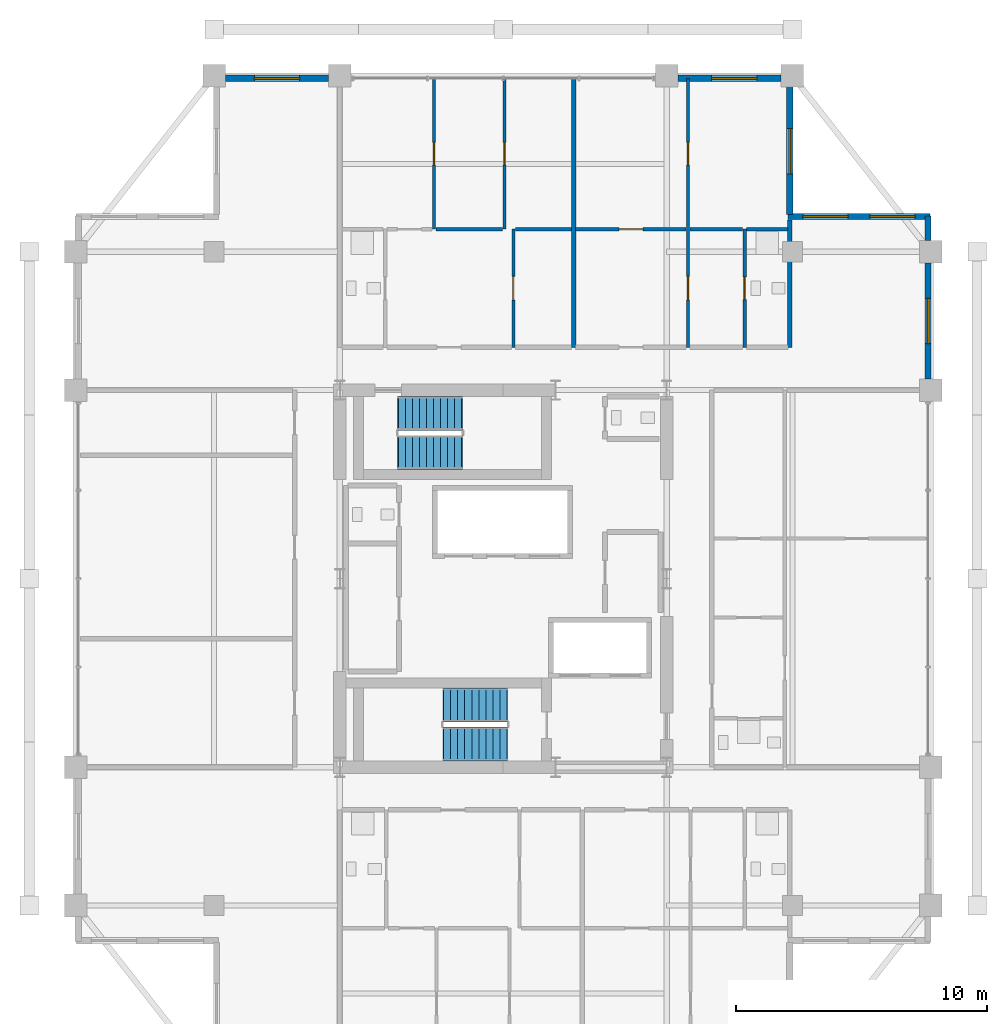
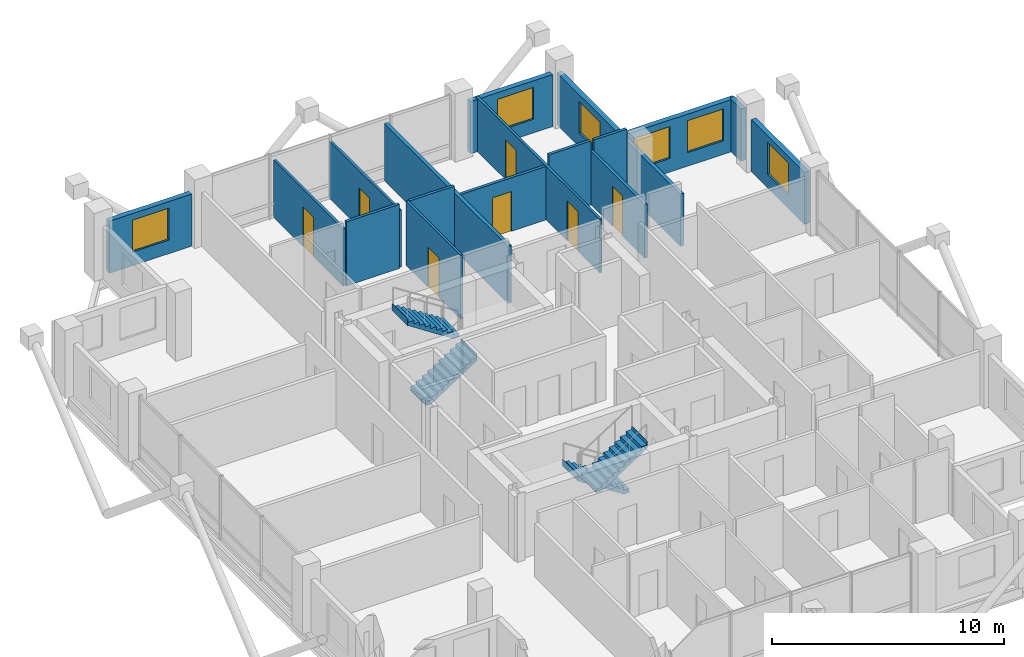
# One storey, part 21 of 23: 18 walls, 7 doors, 6 windows, 4 stair flights, 13 openings, 2 elements without a shape of their own.
"""IFC4 building model written with IfcOpenShell, lengths in metres."""

from ifc_helpers import new_model, si_unit, direction, frame, frame_2d, origin, place, context, subcontext, project, spatial, polyline, rectangle, outline, extrude, material, layer, layer_set, type_object, element, fill, aggregate, save


model = new_model("IFC4")

# Units and contexts
model_context = context("Model", 3, precision=1e-05, world=origin(), true_north=direction((0.0, 1.0)))
body_context = subcontext(model_context, "Body", "Model", "MODEL_VIEW")
ifc_project = project(units=[si_unit("LENGTHUNIT", "METRE"), si_unit("AREAUNIT", "SQUARE_METRE"), si_unit("VOLUMEUNIT", "CUBIC_METRE"), si_unit("PLANEANGLEUNIT", "RADIAN"), si_unit("MASSUNIT", "GRAM", prefix="KILO")], contexts=[model_context])

# Site, building, storey
site_placement = place(None, origin())
site = spatial("IfcSite", under=ifc_project, at=site_placement, CompositionType="ELEMENT")
building_placement = place(site_placement, origin())
building = spatial("IfcBuilding", under=site, at=building_placement, Name="Barlavira Tower and Art Museum", CompositionType="ELEMENT")
storey_placement = place(building_placement, frame((0.0, 0.0, 236.699951171875)))
storey = spatial("IfcBuildingStorey", under=building, at=storey_placement, Name="L61", CompositionType="ELEMENT", Elevation=236.699951171875)

# Wall, opening, door
ifc_material_1 = material(Name="Gypsum acoustic stud partition", Category="gypsum")
ifc_layer_1 = layer(ifc_material_1, 0.1201171875, Name="Gypsum acoustic stud partition")
ifc_layer_set_1 = layer_set([ifc_layer_1], Name="Gypsum acoustic stud partition")
wall_type_1 = type_object("IfcWallType", Name="Apartment Internal Acoustic Partition 120", PredefinedType="PARTITIONING", material=ifc_layer_set_1)
wall_1_placement = place(storey_placement, frame((-2.75, 13.89990234375, 0.0), z_axis=(0.0, 0.0, 1.0), x_axis=(0.0, 1.0, 0.0)))
wall_1 = element("IfcWall", 1, at=wall_1_placement, inside=storey, type_object=wall_type_1, Name="L61 Partition Wall 8", PredefinedType="PARTITIONING", context=body_context, shape_type="SweptSolid", body=[
    extrude(rectangle(XDim=6.0, YDim=0.1201171875, at=frame_2d((3.0, 0.0))), origin(), (0.0, 0.0, 1.0), 3.01806640625),
])
opening_1_placement = place(wall_1_placement, frame((2.550048828125, 0.0, 0.0)))
opening_1 = element("IfcOpeningElement", 2, at=opening_1_placement, cuts=wall_1, Name="Opening D-01", PredefinedType="OPENING", context=body_context, shape_type="SweptSolid", body=[
    extrude(rectangle(XDim=0.89990234375, YDim=2.10009765625, at=frame_2d((0.449951171875, 1.050048828125))), frame((0.0, 0.070068359375, 0.0), z_axis=(0.0, -1.0, 0.0), x_axis=(1.0, 0.0, 0.0)), (0.0, 0.0, 1.0), 0.14013671875),
])
ifc_material_2 = material(Name="Engineered coastal hardwood", Category="wood")
door_type_1 = type_object("IfcDoorType", Name="Internal Bedroom Timber Flush Door 900x2100", OperationType="NOTDEFINED", PredefinedType="DOOR", material=ifc_material_2)
door_1_placement = place(opening_1_placement, origin())
door_1 = element("IfcDoor", 3, at=door_1_placement, inside=storey, type_object=door_type_1, Name="Apartment N1 Bedroom 1 Door", OperationType="SINGLE_SWING_LEFT", OverallHeight=2.10009765625, OverallWidth=0.89990234375, PredefinedType="DOOR", context=body_context, shape_type="SweptSolid", body=[
    extrude(rectangle(XDim=0.89990234375, YDim=2.10009765625, at=frame_2d((0.449951171875, 1.050048828125))), frame((0.0, 0.02490234375, 0.0), z_axis=(0.0, -1.0, 0.0), x_axis=(1.0, 0.0, 0.0)), (0.0, 0.0, 1.0), 0.050048828125),
])
fill(opening_1, door_1)

wall_2_placement = place(storey_placement, frame((0.050048828125, 13.89990234375, 0.0), z_axis=(0.0, 0.0, 1.0), x_axis=(0.0, 1.0, 0.0)))
wall_2 = element("IfcWall", 4, at=wall_2_placement, inside=storey, type_object=wall_type_1, Name="L61 Partition Wall 10", PredefinedType="PARTITIONING", context=body_context, shape_type="SweptSolid", body=[
    extrude(rectangle(XDim=6.0, YDim=0.1201171875, at=frame_2d((3.0, 0.0))), origin(), (0.0, 0.0, 1.0), 3.01806640625),
])
opening_2_placement = place(wall_2_placement, frame((2.550048828125, 0.0, 0.0)))
opening_2 = element("IfcOpeningElement", 5, at=opening_2_placement, cuts=wall_2, Name="Opening D-01", PredefinedType="OPENING", context=body_context, shape_type="SweptSolid", body=[
    extrude(rectangle(XDim=0.89990234375, YDim=2.10009765625, at=frame_2d((0.449951171875, 1.050048828125))), frame((0.0, 0.070068359375, 0.0), z_axis=(0.0, -1.0, 0.0), x_axis=(1.0, 0.0, 0.0)), (0.0, 0.0, 1.0), 0.14013671875),
])
door_2_placement = place(opening_2_placement, origin())
door_2 = element("IfcDoor", 6, at=door_2_placement, inside=storey, type_object=door_type_1, Name="Apartment N1 Bedroom 2 Door", OperationType="SINGLE_SWING_RIGHT", OverallHeight=2.10009765625, OverallWidth=0.89990234375, PredefinedType="DOOR", context=body_context, shape_type="SweptSolid", body=[
    extrude(rectangle(XDim=0.89990234375, YDim=2.10009765625, at=frame_2d((0.449951171875, 1.050048828125))), frame((0.0, 0.02490234375, 0.0), z_axis=(0.0, -1.0, 0.0), x_axis=(1.0, 0.0, 0.0)), (0.0, 0.0, 1.0), 0.050048828125),
])
fill(opening_2, door_2)

wall_3_placement = place(storey_placement, frame((0.39990234375, 9.199951171875, 0.0), z_axis=(0.0, 0.0, 1.0), x_axis=(0.0, 1.0, 0.0)))
wall_3 = element("IfcWall", 7, at=wall_3_placement, inside=storey, type_object=wall_type_1, Name="L61 Partition Wall 12", PredefinedType="PARTITIONING", context=body_context, shape_type="SweptSolid", body=[
    extrude(rectangle(XDim=4.699951171875, YDim=0.1201171875, at=frame_2d((2.35009765625, 0.0))), origin(), (0.0, 0.0, 1.0), 3.380126953125),
])
opening_3_placement = place(wall_3_placement, frame((1.875, 0.0, 0.0)))
opening_3 = element("IfcOpeningElement", 8, at=opening_3_placement, cuts=wall_3, Name="Opening D-02", PredefinedType="OPENING", context=body_context, shape_type="SweptSolid", body=[
    extrude(rectangle(XDim=0.949951171875, YDim=2.10009765625, at=frame_2d((0.47509765625, 1.050048828125))), frame((0.0, 0.070068359375, 0.0), z_axis=(0.0, -1.0, 0.0), x_axis=(1.0, 0.0, 0.0)), (0.0, 0.0, 1.0), 0.14013671875),
])
door_type_2 = type_object("IfcDoorType", Name="Living and Salon Glazed-Leaf Door 950x2100", OperationType="NOTDEFINED", PredefinedType="DOOR", material=ifc_material_2)
door_3_placement = place(opening_3_placement, origin())
door_3 = element("IfcDoor", 9, at=door_3_placement, inside=storey, type_object=door_type_2, Name="Apartment N1 Kitchen Door", OperationType="SINGLE_SWING_LEFT", OverallHeight=2.10009765625, OverallWidth=0.949951171875, PredefinedType="DOOR", context=body_context, shape_type="SweptSolid", body=[
    extrude(rectangle(XDim=0.949951171875, YDim=2.10009765625, at=frame_2d((0.47509765625, 1.050048828125))), frame((0.0, 0.02490234375, 0.0), z_axis=(0.0, -1.0, 0.0), x_axis=(1.0, 0.0, 0.0)), (0.0, 0.0, 1.0), 0.050048828125),
])
fill(opening_3, door_3)

# Wall, openings, doors
wall_4_placement = place(storey_placement, frame((7.35009765625, 9.199951171875, 0.0), z_axis=(0.0, 0.0, 1.0), x_axis=(0.0, 1.0, 0.0)))
wall_4 = element("IfcWall", 10, at=wall_4_placement, inside=storey, type_object=wall_type_1, Name="L61 Partition Wall 19", PredefinedType="PARTITIONING", context=body_context, shape_type="SweptSolid", body=[
    extrude(rectangle(XDim=10.699951171875, YDim=0.1201171875, at=frame_2d((5.35009765625, 0.0))), origin(), (0.0, 0.0, 1.0), 2.825927734375),
])
opening_4_placement = place(wall_4_placement, frame((1.875, 0.0, 0.0)))
opening_4 = element("IfcOpeningElement", 11, at=opening_4_placement, cuts=wall_4, Name="Opening D-02", PredefinedType="OPENING", context=body_context, shape_type="SweptSolid", body=[
    extrude(rectangle(XDim=0.949951171875, YDim=2.10009765625, at=frame_2d((0.47509765625, 1.050048828125))), frame((0.0, 0.070068359375, 0.0), z_axis=(0.0, -1.0, 0.0), x_axis=(1.0, 0.0, 0.0)), (0.0, 0.0, 1.0), 0.14013671875),
])
opening_5_placement = place(wall_4_placement, frame((7.25, 0.0, 0.0)))
opening_5 = element("IfcOpeningElement", 12, at=opening_5_placement, cuts=wall_4, Name="Opening D-01", PredefinedType="OPENING", context=body_context, shape_type="SweptSolid", body=[
    extrude(rectangle(XDim=0.89990234375, YDim=2.10009765625, at=frame_2d((0.449951171875, 1.050048828125))), frame((0.0, 0.070068359375, 0.0), z_axis=(0.0, -1.0, 0.0), x_axis=(1.0, 0.0, 0.0)), (0.0, 0.0, 1.0), 0.14013671875),
])
door_4_placement = place(opening_5_placement, origin())
door_4 = element("IfcDoor", 13, at=door_4_placement, inside=storey, type_object=door_type_1, Name="Apartment N2 Bedroom 1 Door", OperationType="SINGLE_SWING_LEFT", OverallHeight=2.10009765625, OverallWidth=0.89990234375, PredefinedType="DOOR", context=body_context, shape_type="SweptSolid", body=[
    extrude(rectangle(XDim=0.89990234375, YDim=2.10009765625, at=frame_2d((0.449951171875, 1.050048828125))), frame((0.0, 0.02490234375, 0.0), z_axis=(0.0, -1.0, 0.0), x_axis=(1.0, 0.0, 0.0)), (0.0, 0.0, 1.0), 0.050048828125),
])
fill(opening_5, door_4)
door_5_placement = place(opening_4_placement, origin())
door_5 = element("IfcDoor", 14, at=door_5_placement, inside=storey, type_object=door_type_2, Name="Apartment N2 Kitchen Door", OperationType="SINGLE_SWING_RIGHT", OverallHeight=2.10009765625, OverallWidth=0.949951171875, PredefinedType="DOOR", context=body_context, shape_type="SweptSolid", body=[
    extrude(rectangle(XDim=0.949951171875, YDim=2.10009765625, at=frame_2d((0.47509765625, 1.050048828125))), frame((0.0, 0.02490234375, 0.0), z_axis=(0.0, -1.0, 0.0), x_axis=(1.0, 0.0, 0.0)), (0.0, 0.0, 1.0), 0.050048828125),
])
fill(opening_4, door_5)

# Walls
ifc_layer_2 = layer(ifc_material_1, 0.179931640625, Name="Gypsum acoustic stud partition")
ifc_layer_set_2 = layer_set([ifc_layer_2], Name="Gypsum acoustic stud partition")
wall_type_2 = type_object("IfcWallType", Name="Inter-Tenancy Party Partition Wall 180", PredefinedType="PARTITIONING", material=ifc_layer_set_2)
wall_5_placement = place(storey_placement, frame((2.800048828125, 9.199951171875, 0.0), z_axis=(0.0, 0.0, 1.0), x_axis=(0.0, 1.0, 0.0)))
element("IfcWall", 15, at=wall_5_placement, inside=storey, type_object=wall_type_2, Name="L61 Partition Wall 14", PredefinedType="PARTITIONING", context=body_context, shape_type="SweptSolid", body=[
    extrude(rectangle(XDim=10.699951171875, YDim=0.179931640625, at=frame_2d((5.35009765625, 0.0))), origin(), (0.0, 0.0, 1.0), 3.01806640625),
])
wall_6_placement = place(storey_placement, frame((11.39990234375, 9.199951171875, 0.0), z_axis=(0.0, 0.0, 1.0), x_axis=(0.0, 1.0, 0.0)))
element("IfcWall", 16, at=wall_6_placement, inside=storey, type_object=wall_type_2, Name="L61 Partition Wall 26", PredefinedType="PARTITIONING", context=body_context, shape_type="SweptSolid", body=[
    extrude(rectangle(XDim=5.070068359375, YDim=0.179931640625, at=frame_2d((2.53515625, 0.0))), origin(), (0.0, 0.0, 1.0), 2.748046875),
])

# Wall, opening, door
ifc_layer_3 = layer(ifc_material_1, 0.139892578125, Name="Gypsum acoustic stud partition")
ifc_layer_set_3 = layer_set([ifc_layer_3], Name="Gypsum acoustic stud partition")
wall_type_3 = type_object("IfcWallType", Name="Moisture-Resistant Bathroom Partition 140", PredefinedType="PARTITIONING", material=ifc_layer_set_3)
wall_7_placement = place(storey_placement, frame((9.60009765625, 9.199951171875, 0.0), z_axis=(0.0, 0.0, 1.0), x_axis=(0.0, 1.0, 0.0)))
wall_7 = element("IfcWall", 17, at=wall_7_placement, inside=storey, type_object=wall_type_3, Name="L61 Partition Wall 23", PredefinedType="PARTITIONING", context=body_context, shape_type="SweptSolid", body=[
    extrude(rectangle(XDim=4.699951171875, YDim=0.139892578125, at=frame_2d((2.35009765625, 0.0))), origin(), (0.0, 0.0, 1.0), 2.825927734375),
])
opening_6_placement = place(wall_7_placement, frame((1.89990234375, 0.0, 0.0)))
opening_6 = element("IfcOpeningElement", 18, at=opening_6_placement, cuts=wall_7, Name="Opening D-WC", PredefinedType="OPENING", context=body_context, shape_type="SweptSolid", body=[
    extrude(rectangle(XDim=0.89990234375, YDim=2.10009765625, at=frame_2d((0.449951171875, 1.050048828125))), frame((0.0, 0.080078125, 0.0), z_axis=(0.0, -1.0, 0.0), x_axis=(1.0, 0.0, 0.0)), (0.0, 0.0, 1.0), 0.159912109375),
])
door_type_3 = type_object("IfcDoorType", Name="Accessible Bathroom Flush Door 900x2100", OperationType="NOTDEFINED", PredefinedType="DOOR", material=ifc_material_2)
door_6_placement = place(opening_6_placement, origin())
door_6 = element("IfcDoor", 19, at=door_6_placement, inside=storey, type_object=door_type_3, Name="Apartment N2 Hall Bathroom Door", OperationType="SINGLE_SWING_LEFT", OverallHeight=2.10009765625, OverallWidth=0.89990234375, PredefinedType="DOOR", context=body_context, shape_type="SweptSolid", body=[
    extrude(rectangle(XDim=0.89990234375, YDim=2.10009765625, at=frame_2d((0.449951171875, 1.050048828125))), frame((0.0, 0.02490234375, 0.0), z_axis=(0.0, -1.0, 0.0), x_axis=(1.0, 0.0, 0.0)), (0.0, 0.0, 1.0), 0.050048828125),
])
fill(opening_6, door_6)

# Walls
wall_8_placement = place(storey_placement, frame((-2.669921875, 13.89990234375, 0.0), z_axis=(0.0, 0.0, 1.0), x_axis=(1.0, 0.0, 0.0)))
element("IfcWall", 20, at=wall_8_placement, inside=storey, type_object=wall_type_3, Name="L61 Partition Wall 66", PredefinedType="PARTITIONING", context=body_context, shape_type="SweptSolid", body=[
    extrude(rectangle(XDim=2.639892578125, YDim=0.139892578125, at=frame_2d((1.31982421875, 0.0))), origin(), (0.0, 0.0, 1.0), 3.380126953125),
])
wall_9_placement = place(storey_placement, frame((0.47998046875, 13.89990234375, 0.0), z_axis=(0.0, 0.0, 1.0), x_axis=(1.0, 0.0, 0.0)))
element("IfcWall", 21, at=wall_9_placement, inside=storey, type_object=wall_type_3, Name="L61 Partition Wall 67", PredefinedType="PARTITIONING", context=body_context, shape_type="SweptSolid", body=[
    extrude(rectangle(XDim=2.239990234375, YDim=0.139892578125, at=frame_2d((1.1201171875, 0.0))), origin(), (0.0, 0.0, 1.0), 3.380126953125),
])

# Wall, opening, door
wall_10_placement = place(storey_placement, frame((2.8798828125, 13.89990234375, 0.0), z_axis=(0.0, 0.0, 1.0), x_axis=(1.0, 0.0, 0.0)))
wall_10 = element("IfcWall", 22, at=wall_10_placement, inside=storey, type_object=wall_type_3, Name="L61 Partition Wall 68", PredefinedType="PARTITIONING", context=body_context, shape_type="SweptSolid", body=[
    extrude(rectangle(XDim=4.39013671875, YDim=0.139892578125, at=frame_2d((2.195068359375, 0.0))), origin(), (0.0, 0.0, 1.0), 2.825927734375),
])
opening_7_placement = place(wall_10_placement, frame((1.735107421875, 0.0, 0.0)))
opening_7 = element("IfcOpeningElement", 23, at=opening_7_placement, cuts=wall_10, Name="Opening D-02", PredefinedType="OPENING", context=body_context, shape_type="SweptSolid", body=[
    extrude(rectangle(XDim=0.949951171875, YDim=2.10009765625, at=frame_2d((0.47509765625, 1.050048828125))), frame((0.0, 0.080078125, 0.0), z_axis=(0.0, -1.0, 0.0), x_axis=(1.0, 0.0, 0.0)), (0.0, 0.0, 1.0), 0.159912109375),
])
door_7_placement = place(opening_7_placement, origin())
door_7 = element("IfcDoor", 24, at=door_7_placement, inside=storey, type_object=door_type_2, Name="Apartment N2 Living Lounge Door", OperationType="SINGLE_SWING_RIGHT", OverallHeight=2.10009765625, OverallWidth=0.949951171875, PredefinedType="DOOR", context=body_context, shape_type="SweptSolid", body=[
    extrude(rectangle(XDim=0.949951171875, YDim=2.10009765625, at=frame_2d((0.47509765625, 1.050048828125))), frame((0.0, 0.02490234375, 0.0), z_axis=(0.0, -1.0, 0.0), x_axis=(1.0, 0.0, 0.0)), (0.0, 0.0, 1.0), 0.050048828125),
])
fill(opening_7, door_7)

# Walls
wall_11_placement = place(storey_placement, frame((7.429931640625, 13.89990234375, 0.0), z_axis=(0.0, 0.0, 1.0), x_axis=(1.0, 0.0, 0.0)))
element("IfcWall", 25, at=wall_11_placement, inside=storey, type_object=wall_type_3, Name="L61 Partition Wall 69", PredefinedType="PARTITIONING", context=body_context, shape_type="SweptSolid", body=[
    extrude(rectangle(XDim=2.090087890625, YDim=0.139892578125, at=frame_2d((1.044921875, 0.0))), origin(), (0.0, 0.0, 1.0), 3.380126953125),
])
wall_12_placement = place(storey_placement, frame((9.679931640625, 13.89990234375, 0.0), z_axis=(0.0, 0.0, 1.0), x_axis=(1.0, 0.0, 0.0)))
element("IfcWall", 26, at=wall_12_placement, inside=storey, type_object=wall_type_3, Name="L61 Partition Wall 70", PredefinedType="PARTITIONING", context=body_context, shape_type="SweptSolid", body=[
    extrude(rectangle(XDim=1.64013671875, YDim=0.139892578125, at=frame_2d((0.820068359375, 0.0))), origin(), (0.0, 0.0, 1.0), 3.380126953125),
])

# Wall, opening, window
ifc_material_3 = material(Name="Precast concrete C40", Category="concrete")
ifc_layer_4 = layer(ifc_material_3, 0.25, Name="Precast concrete C40")
ifc_layer_set_4 = layer_set([ifc_layer_4], Name="Precast concrete C40")
wall_type_4 = type_object("IfcWallType", Name="Notched Corner Spandrel Wall 250 Precast Concrete C40", PredefinedType="SOLIDWALL", material=ifc_layer_set_4)
wall_13_placement = place(storey_placement, frame((11.054931640625, 19.89990234375, 0.0), z_axis=(0.0, 0.0, 1.0), x_axis=(-1.0, 0.0, 0.0)))
wall_13 = element("IfcWall", 27, at=wall_13_placement, inside=storey, type_object=wall_type_4, Name="L61 Coastal Facade Pier Wall CW4-L61-N-1", PredefinedType="SOLIDWALL", context=body_context, shape_type="SweptSolid", body=[
    extrude(rectangle(XDim=4.10986328125, YDim=0.25, at=frame_2d((2.054931640625, 0.0))), origin(), (0.0, 0.0, 1.0), 2.748046875),
])
opening_8_placement = place(wall_13_placement, frame((0.965087890625, 0.0, 0.719970703125)))
opening_8 = element("IfcOpeningElement", 28, at=opening_8_placement, cuts=wall_13, Name="Opening WN-01", PredefinedType="OPENING", context=body_context, shape_type="SweptSolid", body=[
    extrude(rectangle(XDim=1.800048828125, YDim=1.679931640625, at=frame_2d((0.89990234375, 0.83984375))), frame((0.0, 0.135009765625, 0.0), z_axis=(0.0, -1.0, 0.0), x_axis=(1.0, 0.0, 0.0)), (0.0, 0.0, 1.0), 0.27001953125),
])
ifc_material_4 = material(Name="Low-iron coastal laminated glass", Category="glass")
window_type = type_object("IfcWindowType", Name="Recessed Notch Corner Punch Window 1800x1680", PartitioningType="SINGLE_PANEL", PredefinedType="WINDOW", material=ifc_material_4)
window_1_placement = place(opening_8_placement, origin())
window_1 = element("IfcWindow", 29, at=window_1_placement, inside=storey, type_object=window_type, Name="L61 Punched Facade Window EWP-CW4-L61-N-1-1", OverallHeight=1.679931640625, OverallWidth=1.800048828125, PartitioningType="SINGLE_PANEL", PredefinedType="WINDOW", context=body_context, shape_type="SweptSolid", body=[
    extrude(rectangle(XDim=1.800048828125, YDim=1.679931640625, at=frame_2d((0.89990234375, 0.83984375))), frame((0.0, 0.030029296875, 0.0), z_axis=(0.0, -1.0, 0.0), x_axis=(1.0, 0.0, 0.0)), (0.0, 0.0, 1.0), 0.06005859375),
])
fill(opening_8, window_1)

wall_14_placement = place(storey_placement, frame((-6.945068359375, 19.89990234375, 0.0), z_axis=(0.0, 0.0, 1.0), x_axis=(-1.0, 0.0, 0.0)))
wall_14 = element("IfcWall", 30, at=wall_14_placement, inside=storey, type_object=wall_type_4, Name="L61 Coastal Facade Pier Wall CW4-L61-N-3", PredefinedType="SOLIDWALL", context=body_context, shape_type="SweptSolid", body=[
    extrude(rectangle(XDim=4.10986328125, YDim=0.25, at=frame_2d((2.054931640625, 0.0))), origin(), (0.0, 0.0, 1.0), 2.748046875),
])
opening_9_placement = place(wall_14_placement, frame((1.155029296875, 0.0, 0.719970703125)))
opening_9 = element("IfcOpeningElement", 31, at=opening_9_placement, cuts=wall_14, Name="Opening WN-01", PredefinedType="OPENING", context=body_context, shape_type="SweptSolid", body=[
    extrude(rectangle(XDim=1.800048828125, YDim=1.679931640625, at=frame_2d((0.89990234375, 0.83984375))), frame((0.0, 0.135009765625, 0.0), z_axis=(0.0, -1.0, 0.0), x_axis=(1.0, 0.0, 0.0)), (0.0, 0.0, 1.0), 0.27001953125),
])
window_2_placement = place(opening_9_placement, origin())
window_2 = element("IfcWindow", 32, at=window_2_placement, inside=storey, type_object=window_type, Name="L61 Punched Facade Window EWP-CW4-L61-N-3-1", OverallHeight=1.679931640625, OverallWidth=1.800048828125, PartitioningType="SINGLE_PANEL", PredefinedType="WINDOW", context=body_context, shape_type="SweptSolid", body=[
    extrude(rectangle(XDim=1.800048828125, YDim=1.679931640625, at=frame_2d((0.89990234375, 0.83984375))), frame((0.0, 0.030029296875, 0.0), z_axis=(0.0, -1.0, 0.0), x_axis=(1.0, 0.0, 0.0)), (0.0, 0.0, 1.0), 0.06005859375),
])
fill(opening_9, window_2)

wall_15_placement = place(storey_placement, frame((16.89990234375, 7.945068359375, 0.0), z_axis=(0.0, 0.0, 1.0), x_axis=(0.0, 1.0, 0.0)))
wall_15 = element("IfcWall", 33, at=wall_15_placement, inside=storey, type_object=wall_type_4, Name="L61 Coastal Facade Pier Wall CW4-L61-E-4", PredefinedType="SOLIDWALL", context=body_context, shape_type="SweptSolid", body=[
    extrude(rectangle(XDim=4.60986328125, YDim=0.25, at=frame_2d((2.304931640625, 0.0))), origin(), (0.0, 0.0, 1.0), 2.748046875),
])
opening_10_placement = place(wall_15_placement, frame((1.405029296875, 0.0, 0.719970703125)))
opening_10 = element("IfcOpeningElement", 34, at=opening_10_placement, cuts=wall_15, Name="Opening WN-01", PredefinedType="OPENING", context=body_context, shape_type="SweptSolid", body=[
    extrude(rectangle(XDim=1.800048828125, YDim=1.679931640625, at=frame_2d((0.89990234375, 0.83984375))), frame((0.0, 0.135009765625, 0.0), z_axis=(0.0, -1.0, 0.0), x_axis=(1.0, 0.0, 0.0)), (0.0, 0.0, 1.0), 0.27001953125),
])
window_3_placement = place(opening_10_placement, origin())
window_3 = element("IfcWindow", 35, at=window_3_placement, inside=storey, type_object=window_type, Name="L61 Punched Facade Window EWP-CW4-L61-E-4-1", OverallHeight=1.679931640625, OverallWidth=1.800048828125, PartitioningType="SINGLE_PANEL", PredefinedType="WINDOW", context=body_context, shape_type="SweptSolid", body=[
    extrude(rectangle(XDim=1.800048828125, YDim=1.679931640625, at=frame_2d((0.89990234375, 0.83984375))), frame((0.0, 0.030029296875, 0.0), z_axis=(0.0, -1.0, 0.0), x_axis=(1.0, 0.0, 0.0)), (0.0, 0.0, 1.0), 0.06005859375),
])
fill(opening_10, window_3)

# Wall
wall_16_placement = place(storey_placement, frame((16.89990234375, 13.445068359375, 0.0), z_axis=(0.0, 0.0, 1.0), x_axis=(0.0, 1.0, 0.0)))
element("IfcWall", 36, at=wall_16_placement, inside=storey, type_object=wall_type_4, Name="L61 Coastal Facade Pier Wall CW4-L61-E-5", PredefinedType="SOLIDWALL", context=body_context, shape_type="SweptSolid", body=[
    extrude(rectangle(XDim=0.97998046875, YDim=0.25, at=frame_2d((0.489990234375, 0.0))), origin(), (0.0, 0.0, 1.0), 2.748046875),
])

# Wall, openings, windows
wall_17_placement = place(storey_placement, frame((16.97998046875, 14.39990234375, 0.0), z_axis=(0.0, 0.0, 1.0), x_axis=(-1.0, 0.0, 0.0)))
wall_17 = element("IfcWall", 37, at=wall_17_placement, inside=storey, type_object=wall_type_4, Name="L61 Notch Corner Wall NE1", PredefinedType="SOLIDWALL", context=body_context, shape_type="SweptSolid", body=[
    extrude(rectangle(XDim=5.659912109375, YDim=0.25, at=frame_2d((2.830078125, 0.0))), origin(), (0.0, 0.0, 1.0), 2.748046875),
])
opening_11_placement = place(wall_17_placement, frame((0.594970703125, 0.0, 0.719970703125)))
opening_11 = element("IfcOpeningElement", 38, at=opening_11_placement, cuts=wall_17, Name="Opening WN-01", PredefinedType="OPENING", context=body_context, shape_type="SweptSolid", body=[
    extrude(rectangle(XDim=1.800048828125, YDim=1.679931640625, at=frame_2d((0.89990234375, 0.83984375))), frame((0.0, 0.135009765625, 0.0), z_axis=(0.0, -1.0, 0.0), x_axis=(1.0, 0.0, 0.0)), (0.0, 0.0, 1.0), 0.27001953125),
])
opening_12_placement = place(wall_17_placement, frame((3.264892578125, 0.0, 0.719970703125)))
opening_12 = element("IfcOpeningElement", 39, at=opening_12_placement, cuts=wall_17, Name="Opening WN-01", PredefinedType="OPENING", context=body_context, shape_type="SweptSolid", body=[
    extrude(rectangle(XDim=1.800048828125, YDim=1.679931640625, at=frame_2d((0.89990234375, 0.83984375))), frame((0.0, 0.135009765625, 0.0), z_axis=(0.0, -1.0, 0.0), x_axis=(1.0, 0.0, 0.0)), (0.0, 0.0, 1.0), 0.27001953125),
])
window_4_placement = place(opening_11_placement, origin())
window_4 = element("IfcWindow", 40, at=window_4_placement, inside=storey, type_object=window_type, Name="L61 Punched Facade Window EW-NTC-L61-NE1-1", OverallHeight=1.679931640625, OverallWidth=1.800048828125, PartitioningType="SINGLE_PANEL", PredefinedType="WINDOW", context=body_context, shape_type="SweptSolid", body=[
    extrude(rectangle(XDim=1.800048828125, YDim=1.679931640625, at=frame_2d((0.89990234375, 0.83984375))), frame((0.0, 0.030029296875, 0.0), z_axis=(0.0, -1.0, 0.0), x_axis=(1.0, 0.0, 0.0)), (0.0, 0.0, 1.0), 0.06005859375),
])
fill(opening_11, window_4)
window_5_placement = place(opening_12_placement, origin())
window_5 = element("IfcWindow", 41, at=window_5_placement, inside=storey, type_object=window_type, Name="L61 Punched Facade Window EW-NTC-L61-NE1-2", OverallHeight=1.679931640625, OverallWidth=1.800048828125, PartitioningType="SINGLE_PANEL", PredefinedType="WINDOW", context=body_context, shape_type="SweptSolid", body=[
    extrude(rectangle(XDim=1.800048828125, YDim=1.679931640625, at=frame_2d((0.89990234375, 0.83984375))), frame((0.0, 0.030029296875, 0.0), z_axis=(0.0, -1.0, 0.0), x_axis=(1.0, 0.0, 0.0)), (0.0, 0.0, 1.0), 0.06005859375),
])
fill(opening_12, window_5)

# Wall, opening, window
wall_18_placement = place(storey_placement, frame((11.39990234375, 14.47998046875, 0.0), z_axis=(0.0, 0.0, 1.0), x_axis=(0.0, 1.0, 0.0)))
wall_18 = element("IfcWall", 42, at=wall_18_placement, inside=storey, type_object=wall_type_4, Name="L61 Notch Corner Wall NE2", PredefinedType="SOLIDWALL", context=body_context, shape_type="SweptSolid", body=[
    extrude(rectangle(XDim=5.340087890625, YDim=0.25, at=frame_2d((2.669921875, 0.0))), origin(), (0.0, 0.0, 1.0), 2.748046875),
])
opening_13_placement = place(wall_18_placement, frame((1.614990234375, 0.0, 0.719970703125)))
opening_13 = element("IfcOpeningElement", 43, at=opening_13_placement, cuts=wall_18, Name="Opening WN-01", PredefinedType="OPENING", context=body_context, shape_type="SweptSolid", body=[
    extrude(rectangle(XDim=1.800048828125, YDim=1.679931640625, at=frame_2d((0.89990234375, 0.83984375))), frame((0.0, 0.135009765625, 0.0), z_axis=(0.0, -1.0, 0.0), x_axis=(1.0, 0.0, 0.0)), (0.0, 0.0, 1.0), 0.27001953125),
])
window_6_placement = place(opening_13_placement, origin())
window_6 = element("IfcWindow", 44, at=window_6_placement, inside=storey, type_object=window_type, Name="L61 Punched Facade Window EW-NTC-L61-NE2-1", OverallHeight=1.679931640625, OverallWidth=1.800048828125, PartitioningType="SINGLE_PANEL", PredefinedType="WINDOW", context=body_context, shape_type="SweptSolid", body=[
    extrude(rectangle(XDim=1.800048828125, YDim=1.679931640625, at=frame_2d((0.89990234375, 0.83984375))), frame((0.0, 0.030029296875, 0.0), z_axis=(0.0, -1.0, 0.0), x_axis=(1.0, 0.0, 0.0)), (0.0, 0.0, 1.0), 0.06005859375),
])
fill(opening_13, window_6)

# Stair, stair flights
ifc_material_5 = material(Name="Concrete C45", Category="concrete")
stair_type_1 = type_object("IfcStairType", Name="Tower North Dog-Leg Exit Stair Assembly Concrete C45", PredefinedType="TWO_QUARTER_TURN_STAIR", material=ifc_material_5)
stair_1_placement = place(storey_placement, origin())
stair_1 = element("IfcStair", 45, at=stair_1_placement, inside=storey, type_object=stair_type_1, Name="L61 Tower North Exit Stair ST-T2", PredefinedType="TWO_QUARTER_TURN_STAIR")
ifc_material_6 = material(Name="Precast concrete C45", Category="concrete")
stair_flight_type_1 = type_object("IfcStairFlightType", Name="Tower North Dog-Leg Exit Stair Precast Flight 1350 Concrete C45", PredefinedType="STRAIGHT", material=ifc_material_6)
stair_flight_1_placement = place(storey_placement, frame((-4.169921875, 5.02490234375, 0.0), z_axis=(0.0, 0.0, 1.0), x_axis=(1.0, 0.0, 0.0)))
stair_flight_1 = element("IfcStairFlight", 46, at=stair_flight_1_placement, type_object=stair_flight_type_1, Name="ST-T2 flight 1", NumberOfRisers=10, NumberOfTreads=9, PredefinedType="STRAIGHT", RiserHeight=0.18, TreadLength=0.28, context=body_context, shape_type="SweptSolid", body=[
    extrude(outline(polyline([(-0.02490234375, 0.0), (0.0, 0.0), (0.0, 0.179931640625), (0.280029296875, 0.179931640625), (0.280029296875, 0.360107421875), (0.56005859375, 0.360107421875), (0.56005859375, 0.5400390625), (0.840087890625, 0.5400390625), (0.840087890625, 0.719970703125), (1.1201171875, 0.719970703125), (1.1201171875, 0.89990234375), (1.39990234375, 0.89990234375), (1.39990234375, 1.080078125), (1.679931640625, 1.080078125), (1.679931640625, 1.260009765625), (1.9599609375, 1.260009765625), (1.9599609375, 1.43994140625), (2.239990234375, 1.43994140625), (2.239990234375, 1.6201171875), (2.52001953125, 1.6201171875), (2.52001953125, 1.800048828125), (2.544921875, 1.800048828125), (2.544921875, 1.44189453125), (2.52001953125, 1.44189453125), (0.277099609375, -0.02490234375), (-0.02490234375, -0.02490234375), (-0.02490234375, 0.0)])), frame((0.0, 0.675048828125, 0.0), z_axis=(0.0, -1.0, 0.0), x_axis=(1.0, 0.0, 0.0)), (0.0, 0.0, 1.0), 1.35009765625),
])
stair_flight_2_placement = place(storey_placement, frame((-1.64990234375, 6.574951171875, 1.800048828125), z_axis=(0.0, 0.0, 1.0), x_axis=(-1.0, 0.0, 0.0)))
stair_flight_2 = element("IfcStairFlight", 47, at=stair_flight_2_placement, type_object=stair_flight_type_1, Name="ST-T2 flight 2", NumberOfRisers=10, NumberOfTreads=9, PredefinedType="STRAIGHT", RiserHeight=0.18, TreadLength=0.28, context=body_context, shape_type="SweptSolid", body=[
    extrude(outline(polyline([(-0.02490234375, 0.0), (0.0, 0.0), (0.0, 0.179931640625), (0.280029296875, 0.179931640625), (0.280029296875, 0.360107421875), (0.56005859375, 0.360107421875), (0.56005859375, 0.5400390625), (0.840087890625, 0.5400390625), (0.840087890625, 0.719970703125), (1.1201171875, 0.719970703125), (1.1201171875, 0.89990234375), (1.39990234375, 0.89990234375), (1.39990234375, 1.080078125), (1.679931640625, 1.080078125), (1.679931640625, 1.260009765625), (1.9599609375, 1.260009765625), (1.9599609375, 1.43994140625), (2.239990234375, 1.43994140625), (2.239990234375, 1.6201171875), (2.52001953125, 1.6201171875), (2.52001953125, 1.800048828125), (2.544921875, 1.800048828125), (2.544921875, 1.44189453125), (2.52001953125, 1.44189453125), (0.277099609375, -0.02490234375), (-0.02490234375, -0.02490234375), (-0.02490234375, 0.0)])), frame((0.0, 0.675048828125, 0.0), z_axis=(0.0, -1.0, 0.0), x_axis=(1.0, 0.0, 0.0)), (0.0, 0.0, 1.0), 1.35009765625),
])
aggregate(stair_1, [stair_flight_1, stair_flight_2])

stair_type_2 = type_object("IfcStairType", Name="Tower South Dog-Leg Exit Stair Assembly Concrete C45", PredefinedType="TWO_QUARTER_TURN_STAIR", material=ifc_material_5)
stair_2_placement = place(storey_placement, origin())
stair_2 = element("IfcStair", 48, at=stair_2_placement, inside=storey, type_object=stair_type_2, Name="L61 Tower South Exit Stair ST-T1", PredefinedType="TWO_QUARTER_TURN_STAIR")
stair_flight_type_2 = type_object("IfcStairFlightType", Name="Tower South Dog-Leg Exit Stair Precast Flight 1350 Concrete C45", PredefinedType="STRAIGHT", material=ifc_material_6)
stair_flight_3_placement = place(storey_placement, frame((0.14990234375, -5.02490234375, 0.0), z_axis=(0.0, 0.0, 1.0), x_axis=(-1.0, 0.0, 0.0)))
stair_flight_3 = element("IfcStairFlight", 49, at=stair_flight_3_placement, type_object=stair_flight_type_2, Name="ST-T1 flight 1", NumberOfRisers=10, NumberOfTreads=9, PredefinedType="STRAIGHT", RiserHeight=0.18, TreadLength=0.28, context=body_context, shape_type="SweptSolid", body=[
    extrude(outline(polyline([(-0.02490234375, 0.0), (0.0, 0.0), (0.0, 0.179931640625), (0.280029296875, 0.179931640625), (0.280029296875, 0.360107421875), (0.56005859375, 0.360107421875), (0.56005859375, 0.5400390625), (0.840087890625, 0.5400390625), (0.840087890625, 0.719970703125), (1.1201171875, 0.719970703125), (1.1201171875, 0.89990234375), (1.39990234375, 0.89990234375), (1.39990234375, 1.080078125), (1.679931640625, 1.080078125), (1.679931640625, 1.260009765625), (1.9599609375, 1.260009765625), (1.9599609375, 1.43994140625), (2.239990234375, 1.43994140625), (2.239990234375, 1.6201171875), (2.52001953125, 1.6201171875), (2.52001953125, 1.800048828125), (2.544921875, 1.800048828125), (2.544921875, 1.44189453125), (2.52001953125, 1.44189453125), (0.277099609375, -0.02490234375), (-0.02490234375, -0.02490234375), (-0.02490234375, 0.0)])), frame((0.0, 0.675048828125, 0.0), z_axis=(0.0, -1.0, 0.0), x_axis=(1.0, 0.0, 0.0)), (0.0, 0.0, 1.0), 1.35009765625),
])
stair_flight_4_placement = place(storey_placement, frame((-2.3701171875, -6.574951171875, 1.800048828125), z_axis=(0.0, 0.0, 1.0), x_axis=(1.0, 0.0, 0.0)))
stair_flight_4 = element("IfcStairFlight", 50, at=stair_flight_4_placement, type_object=stair_flight_type_2, Name="ST-T1 flight 2", NumberOfRisers=10, NumberOfTreads=9, PredefinedType="STRAIGHT", RiserHeight=0.18, TreadLength=0.28, context=body_context, shape_type="SweptSolid", body=[
    extrude(outline(polyline([(-0.02490234375, 0.0), (0.0, 0.0), (0.0, 0.179931640625), (0.280029296875, 0.179931640625), (0.280029296875, 0.360107421875), (0.56005859375, 0.360107421875), (0.56005859375, 0.5400390625), (0.840087890625, 0.5400390625), (0.840087890625, 0.719970703125), (1.1201171875, 0.719970703125), (1.1201171875, 0.89990234375), (1.39990234375, 0.89990234375), (1.39990234375, 1.080078125), (1.679931640625, 1.080078125), (1.679931640625, 1.260009765625), (1.9599609375, 1.260009765625), (1.9599609375, 1.43994140625), (2.239990234375, 1.43994140625), (2.239990234375, 1.6201171875), (2.52001953125, 1.6201171875), (2.52001953125, 1.800048828125), (2.544921875, 1.800048828125), (2.544921875, 1.44189453125), (2.52001953125, 1.44189453125), (0.277099609375, -0.02490234375), (-0.02490234375, -0.02490234375), (-0.02490234375, 0.0)])), frame((0.0, 0.675048828125, 0.0), z_axis=(0.0, -1.0, 0.0), x_axis=(1.0, 0.0, 0.0)), (0.0, 0.0, 1.0), 1.35009765625),
])
aggregate(stair_2, [stair_flight_3, stair_flight_4])

save(model, "model.ifc")
